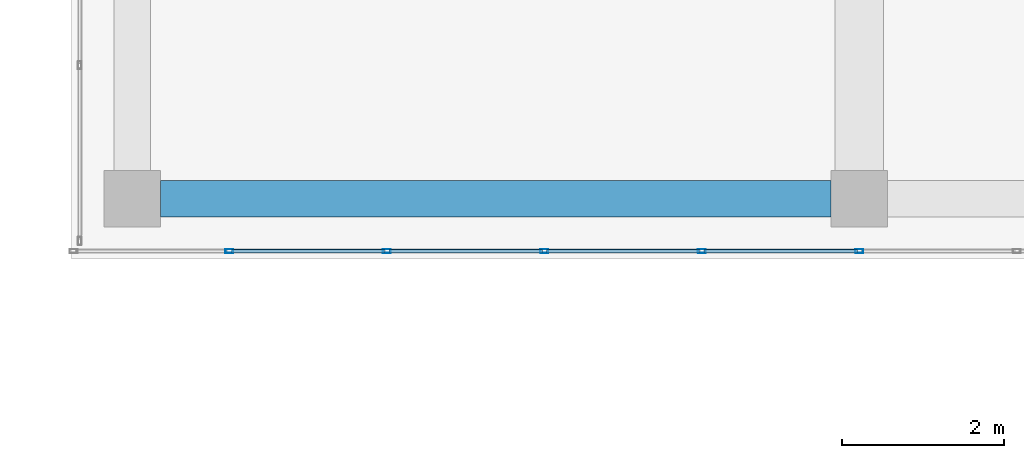
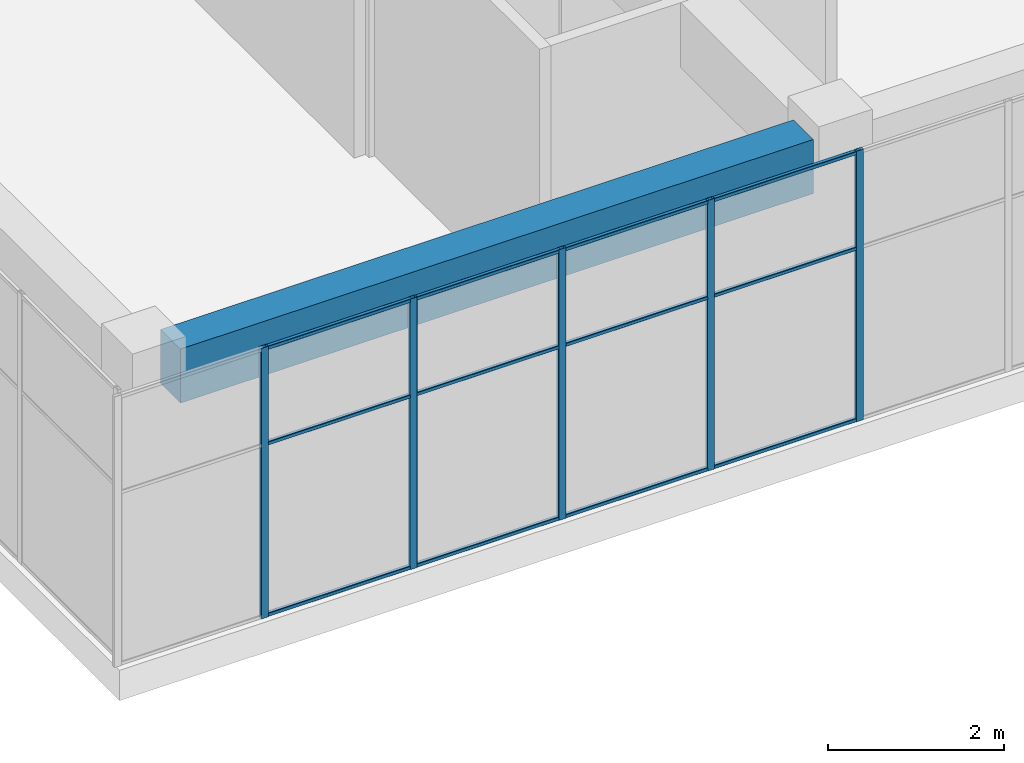
# One storey, part 14 of 49: 17 members, 1 beam, 1 element without a shape of its own.
"""IFC4 building model written with IfcOpenShell, lengths in metres."""

import ifcopenshell
import ifcopenshell.guid

model = None  # the IFC model being written
_history = None  # IfcOwnerHistory: only IFC2X3 demands one
_inside = {}  # id of a spatial element -> (the spatial element, [elements in it])
_under = {}  # id of a project, library or spatial element -> (it, [spatial elements below it])
_declared = {}  # id of a project -> (the project, [libraries it declares])
_typed = {}  # id of a type object -> (the type object, [elements of that type])
_made_of = {}  # id of a material, layer set ... -> (it, [elements and type objects made of it])


def new_model(schema):
    """Start an empty IFC model of exactly this schema.

    Asked for "IFC4X3", IfcOpenShell would pick the latest addendum, in which some entities
    have other attributes; the version numbers below select the first issue.
    IFC2X3 requires an IfcOwnerHistory on every rooted entity: one is made here for all.
    """
    global model, _history
    if schema == "IFC4X3":
        model = ifcopenshell.file(schema_version=(4, 3, 0, 0))
    else:
        model = ifcopenshell.file(schema=schema)
    _inside.clear()
    _under.clear()
    _declared.clear()
    _typed.clear()
    _made_of.clear()
    _history = None
    if model.schema == "IFC2X3":
        org = make("IfcOrganization", Name="unknown")
        user = make(
            "IfcPersonAndOrganization",
            ThePerson=make("IfcPerson", FamilyName="unknown"),
            TheOrganization=org,
        )
        app = make(
            "IfcApplication",
            ApplicationDeveloper=org,
            Version="unknown",
            ApplicationFullName="unknown",
            ApplicationIdentifier="unknown",
        )
        _history = make(
            "IfcOwnerHistory",
            OwningUser=user,
            OwningApplication=app,
            ChangeAction="ADDED",
            CreationDate=0,
        )
    return model


def make(cls, **values):
    """One entity of the class cls with the attributes given. An attribute that is None is left unset."""
    return model.create_entity(
        cls, **{name: value for name, value in values.items() if value is not None}
    )


def rooted(cls, **values):
    """An entity with a GlobalId (a new one), such as an element, a storey or a relation."""
    return make(cls, GlobalId=ifcopenshell.guid.new(), OwnerHistory=_history, **values)


def si_unit(unit_type, name, prefix=None):
    """IfcSIUnit, for example si_unit("LENGTHUNIT", "METRE", prefix="MILLI")."""
    return make("IfcSIUnit", UnitType=unit_type, Prefix=prefix, Name=name)


def assignment(units):
    """IfcUnitAssignment: the units of a project."""
    return None if units is None else make("IfcUnitAssignment", Units=units)


def point(xyz):
    """IfcCartesianPoint."""
    return None if xyz is None else make("IfcCartesianPoint", Coordinates=xyz)


def direction(xyz):
    """IfcDirection."""
    return None if xyz is None else make("IfcDirection", DirectionRatios=xyz)


def frame(location, z_axis=None, x_axis=None):
    """IfcAxis2Placement3D, a coordinate frame: its origin and axes. An axis left out is left unset."""
    return make(
        "IfcAxis2Placement3D",
        Location=point(location),
        Axis=direction(z_axis),
        RefDirection=direction(x_axis),
    )


def frame_2d(location, x_axis=None):
    """IfcAxis2Placement2D, a coordinate frame in the plane: its origin and x axis."""
    return make(
        "IfcAxis2Placement2D", Location=point(location), RefDirection=direction(x_axis)
    )


def origin():
    """The frame at (0, 0, 0) with its axes left unset."""
    return frame((0.0, 0.0, 0.0))


def origin_2d():
    """The frame at (0, 0) in the plane with its x axis left unset."""
    return frame_2d((0.0, 0.0))


def place(relative_to, where):
    """IfcLocalPlacement: puts the frame where relative to a parent placement (None: the world)."""
    return make(
        "IfcLocalPlacement", PlacementRelTo=relative_to, RelativePlacement=where
    )


def context(
    kind, dimensions, precision=None, world=None, true_north=None, identifier=None
):
    """IfcGeometricRepresentationContext, for example the 3D "Model" context."""
    return make(
        "IfcGeometricRepresentationContext",
        ContextIdentifier=identifier,
        ContextType=kind,
        CoordinateSpaceDimension=dimensions,
        Precision=precision,
        WorldCoordinateSystem=world,
        TrueNorth=true_north,
    )


def subcontext(parent, identifier, kind, view, scale=None):
    """IfcGeometricRepresentationSubContext, for example "Body" below "Model"."""
    return make(
        "IfcGeometricRepresentationSubContext",
        ContextIdentifier=identifier,
        ContextType=kind,
        ParentContext=parent,
        TargetScale=scale,
        TargetView=view,
    )


def project(units=None, contexts=None):
    """IfcProject with its units and contexts."""
    return rooted(
        "IfcProject",
        Name="project",
        RepresentationContexts=contexts,
        UnitsInContext=assignment(units),
    )


def spatial(cls, under=None, at=None, **own):
    """A site, building, storey or space (cls), placed at a placement, below another one or the project."""
    s = rooted(cls, ObjectPlacement=at, **own)
    if under is not None:
        _under.setdefault(under.id(), (under, []))[1].append(s)
    return s


def profile(cls, at=None, kind="AREA", **sizes):
    """A parametric profile (cls). Its sizes go by their IFC names, for example OverallWidth=200.0."""
    return make(cls, ProfileType=kind, Position=at, **sizes)


def rectangle(**sizes):
    """IfcRectangleProfileDef."""
    return profile("IfcRectangleProfileDef", **sizes)


def hollow_rectangle(**sizes):
    """IfcRectangleHollowProfileDef."""
    return profile("IfcRectangleHollowProfileDef", **sizes)


def extrude(swept, where, along, depth):
    """IfcExtrudedAreaSolid: the profile swept, set in the frame where, extruded along a direction by depth."""
    return make(
        "IfcExtrudedAreaSolid",
        SweptArea=swept,
        Position=where,
        ExtrudedDirection=direction(along),
        Depth=depth,
    )


def shape(context_of_items, identifier, shape_type, items):
    """IfcShapeRepresentation: the items that make up one representation, for example the "Body"."""
    return make(
        "IfcShapeRepresentation",
        ContextOfItems=context_of_items,
        RepresentationIdentifier=identifier,
        RepresentationType=shape_type,
        Items=items,
    )


def material(Name=None, Category=None):
    """IfcMaterial."""
    return make("IfcMaterial", Name=Name, Category=Category)


def layer(
    of_material, thickness, ventilated=None, Name=None, Category=None, Priority=None
):
    """IfcMaterialLayer: one layer of a wall or slab, of a material (None: an air gap)."""
    return make(
        "IfcMaterialLayer",
        Material=of_material,
        LayerThickness=thickness,
        IsVentilated=ventilated,
        Name=Name,
        Category=Category,
        Priority=Priority,
    )


def layer_set(layers, Name=None):
    """IfcMaterialLayerSet."""
    return make("IfcMaterialLayerSet", MaterialLayers=layers, LayerSetName=Name)


def material_profile(
    of_material, cross_section, Name=None, Category=None, Priority=None
):
    """IfcMaterialProfile: a cross section and its material."""
    return make(
        "IfcMaterialProfile",
        Name=Name,
        Material=of_material,
        Profile=cross_section,
        Priority=Priority,
        Category=Category,
    )


def profile_set(profiles, Name=None, composite=None):
    """IfcMaterialProfileSet."""
    return make(
        "IfcMaterialProfileSet",
        Name=Name,
        MaterialProfiles=profiles,
        CompositeProfile=composite,
    )


def made_of(thing, what):
    """Note that an element or type object is made of a material, layer set ...; save() writes the relation."""
    if what is not None:
        _made_of.setdefault(what.id(), (what, []))[1].append(thing)
    return thing


def type_object(cls, material=None, **own):
    """A type object (cls), such as IfcWallType, which elements share."""
    return made_of(rooted(cls, **own), material)


def element(
    cls,
    number,
    at=None,
    inside=None,
    cuts=None,
    type_object=None,
    material=None,
    context=None,
    identifier="Body",
    shape_type=None,
    held_by="IfcProductDefinitionShape",
    body=None,
    shapes=None,
    **own,
):
    """One element of the class cls, such as IfcWall. Its Tag is "e" and its number.

    at: its placement. inside: the storey or other place that contains it. cuts: it is an
    opening in that element (IfcRelVoidsElement). A single representation is given by context,
    identifier, shape_type and body (its items); several are given by shapes. held_by: the class
    of the entity that holds the representations. save() writes the other relations.
    """
    e = rooted(cls, Tag="e%d" % number, ObjectPlacement=at, **own)
    if body is not None:
        shapes = [shape(context, identifier, shape_type, body)]
    if shapes is not None:
        e.Representation = make(held_by, Representations=shapes)
    if inside is not None:
        _inside.setdefault(inside.id(), (inside, []))[1].append(e)
    if cuts is not None:
        rooted(
            "IfcRelVoidsElement", RelatingBuildingElement=cuts, RelatedOpeningElement=e
        )
    if type_object is not None:
        _typed.setdefault(type_object.id(), (type_object, []))[1].append(e)
    return made_of(e, material)


def aggregate(whole, parts):
    """IfcRelAggregates: a whole, such as a stair, and the parts it consists of."""
    return rooted("IfcRelAggregates", RelatingObject=whole, RelatedObjects=parts)


def save(model, path):
    """Write the relations noted so far, then the file.

    IfcRelAggregates (storeys below a building ...), IfcRelContainedInSpatialStructure (elements
    in a storey), IfcRelDefinesByType, IfcRelAssociatesMaterial and IfcRelDeclares: one each for
    every whole, place, type object, material and project.
    """
    for whole, parts in _under.values():
        aggregate(whole, parts)
    for where, things in _inside.values():
        rooted(
            "IfcRelContainedInSpatialStructure",
            RelatedElements=things,
            RelatingStructure=where,
        )
    for kind, things in _typed.values():
        rooted("IfcRelDefinesByType", RelatedObjects=things, RelatingType=kind)
    for what, things in _made_of.values():
        rooted("IfcRelAssociatesMaterial", RelatedObjects=things, RelatingMaterial=what)
    for by, libraries in _declared.values():
        rooted("IfcRelDeclares", RelatingContext=by, RelatedDefinitions=libraries)
    model.write(path)


model = new_model("IFC4")

# Units and contexts
model_context = context("Model", 3, precision=1e-05, world=origin(), true_north=direction((0.0, 1.0)))
body_context = subcontext(model_context, "Body", "Model", "MODEL_VIEW")
ifc_project = project(units=[si_unit("LENGTHUNIT", "METRE"), si_unit("AREAUNIT", "SQUARE_METRE"), si_unit("VOLUMEUNIT", "CUBIC_METRE"), si_unit("PLANEANGLEUNIT", "RADIAN"), si_unit("MASSUNIT", "GRAM", prefix="KILO")], contexts=[model_context])

# Site, building, storey
site_placement = place(None, origin())
site = spatial("IfcSite", under=ifc_project, at=site_placement, CompositionType="ELEMENT")
building_placement = place(site_placement, origin())
building = spatial("IfcBuilding", under=site, at=building_placement, Name="Tuart Plaza Theatre", CompositionType="ELEMENT")
storey_placement = place(building_placement, frame((0.0, 0.0, 29.5)))
storey = spatial("IfcBuildingStorey", under=building, at=storey_placement, Name="L07", CompositionType="ELEMENT", Elevation=29.5)

# Beam
ifc_material_1 = material(Name="Concrete N40 (40 MPa)", Category="concrete")
ifc_material_profile_1 = material_profile(ifc_material_1, rectangle(XDim=0.449951171875, YDim=0.75, at=origin_2d()), Name="BEAM 450x750 Concrete N40 (40 MPa)")
ifc_profile_set_1 = profile_set([ifc_material_profile_1], Name="Concrete N40 (40 MPa)")
beam_type = type_object("IfcBeamType", Name="BEAM 450x750 Concrete N40 (40 MPa)", PredefinedType="BEAM", material=ifc_profile_set_1)
beam_placement = place(storey_placement, frame((114.35009765625, 56.0, 3.375), z_axis=(1.0, 0.0, 0.0), x_axis=(0.0, 1.0, 0.0)))
element("IfcBeam", 1, at=beam_placement, inside=storey, type_object=beam_type, Name="RB256", PredefinedType="BEAM", context=body_context, shape_type="SweptSolid", body=[
    extrude(rectangle(XDim=0.449951171875, YDim=0.75, at=origin_2d()), origin(), (0.0, 0.0, 1.0), 8.2998046875),
])

# Curtain wall, members
ifc_material_2 = material(Name="Aluminium and glass", Category="aluminium")
ifc_layer = layer(ifc_material_2, 0.10009765625)
ifc_layer_set = layer_set([ifc_layer], Name="CURTAIN WALL 2000 module")
curtain_wall_type = type_object("IfcCurtainWallType", Name="CURTAIN WALL 2000 module", PredefinedType="NOTDEFINED", material=ifc_layer_set)
curtain_wall_placement = place(storey_placement, origin())
curtain_wall = element("IfcCurtainWall", 2, at=curtain_wall_placement, inside=storey, type_object=curtain_wall_type, Name="CW88", PredefinedType="NOTDEFINED")
ifc_material_3 = material(Name="Aluminium 6063-T5", Category="aluminium")
ifc_material_profile_2 = material_profile(ifc_material_3, hollow_rectangle(XDim=0.050048828125, YDim=0.10009765625, WallThickness=0.00390625, InnerFilletRadius=0.00390625, OuterFilletRadius=0.008056640625, at=origin_2d()), Name="RHS 100x50x4")
ifc_profile_set_2 = profile_set([ifc_material_profile_2], Name="Aluminium 6063-T5")
member_type_1 = type_object("IfcMemberType", Name="MULLION RHS 100x50x4", PredefinedType="MULLION", material=ifc_profile_set_2)
member_1_placement = place(storey_placement, frame((115.199951171875, 55.35009765625, 0.0), z_axis=(0.0, 0.0, 1.0), x_axis=(0.0, 1.0, 0.0)))
member_1 = element("IfcMember", 3, at=member_1_placement, type_object=member_type_1, Name="CW88 mullion 2", PredefinedType="MULLION", context=body_context, shape_type="SweptSolid", body=[
    extrude(hollow_rectangle(XDim=0.050048828125, YDim=0.10009765625, WallThickness=0.00390625, InnerFilletRadius=0.00390625, OuterFilletRadius=0.008056640625, at=origin_2d()), origin(), (0.0, 0.0, 1.0), 3.75),
])
member_2_placement = place(storey_placement, frame((117.14990234375, 55.35009765625, 0.0), z_axis=(0.0, 0.0, 1.0), x_axis=(0.0, 1.0, 0.0)))
member_2 = element("IfcMember", 4, at=member_2_placement, type_object=member_type_1, Name="CW88 mullion 3", PredefinedType="MULLION", context=body_context, shape_type="SweptSolid", body=[
    extrude(hollow_rectangle(XDim=0.050048828125, YDim=0.10009765625, WallThickness=0.00390625, InnerFilletRadius=0.00390625, OuterFilletRadius=0.008056640625, at=origin_2d()), origin(), (0.0, 0.0, 1.0), 3.75),
])
member_3_placement = place(storey_placement, frame((119.10009765625, 55.35009765625, 0.0), z_axis=(0.0, 0.0, 1.0), x_axis=(0.0, 1.0, 0.0)))
member_3 = element("IfcMember", 5, at=member_3_placement, type_object=member_type_1, Name="CW88 mullion 4", PredefinedType="MULLION", context=body_context, shape_type="SweptSolid", body=[
    extrude(hollow_rectangle(XDim=0.050048828125, YDim=0.10009765625, WallThickness=0.00390625, InnerFilletRadius=0.00390625, OuterFilletRadius=0.008056640625, at=origin_2d()), origin(), (0.0, 0.0, 1.0), 3.75),
])
member_4_placement = place(storey_placement, frame((121.050048828125, 55.35009765625, 0.0), z_axis=(0.0, 0.0, 1.0), x_axis=(0.0, 1.0, 0.0)))
member_4 = element("IfcMember", 6, at=member_4_placement, type_object=member_type_1, Name="CW88 mullion 5", PredefinedType="MULLION", context=body_context, shape_type="SweptSolid", body=[
    extrude(hollow_rectangle(XDim=0.050048828125, YDim=0.10009765625, WallThickness=0.00390625, InnerFilletRadius=0.00390625, OuterFilletRadius=0.008056640625, at=origin_2d()), origin(), (0.0, 0.0, 1.0), 3.75),
])
member_5_placement = place(storey_placement, frame((123.0, 55.35009765625, 0.0), z_axis=(0.0, 0.0, 1.0), x_axis=(0.0, 1.0, 0.0)))
member_5 = element("IfcMember", 7, at=member_5_placement, type_object=member_type_1, Name="CW88 mullion 6", PredefinedType="MULLION", context=body_context, shape_type="SweptSolid", body=[
    extrude(hollow_rectangle(XDim=0.050048828125, YDim=0.10009765625, WallThickness=0.00390625, InnerFilletRadius=0.00390625, OuterFilletRadius=0.008056640625, at=origin_2d()), origin(), (0.0, 0.0, 1.0), 3.75),
])
ifc_material_4 = material(Name="Aluminium 6063-T5", Category="aluminium")
ifc_material_profile_3 = material_profile(ifc_material_4, hollow_rectangle(XDim=0.050048828125, YDim=0.050048828125, WallThickness=0.00390625, InnerFilletRadius=0.00390625, OuterFilletRadius=0.008056640625, at=origin_2d()), Name="RHS 50x50x4")
ifc_profile_set_3 = profile_set([ifc_material_profile_3], Name="Aluminium 6063-T5")
member_type_2 = type_object("IfcMemberType", Name="TRANSOM RHS 50x50x4", PredefinedType="USERDEFINED", material=ifc_profile_set_3)
member_6_placement = place(storey_placement, frame((115.22509765625, 55.35009765625, 0.02490234375), z_axis=(1.0, 0.0, 0.0), x_axis=(0.0, 1.0, 0.0)))
member_6 = element("IfcMember", 8, at=member_6_placement, type_object=member_type_2, Name="CW88 transom 2.1", ObjectType="TRANSOM", PredefinedType="USERDEFINED", context=body_context, shape_type="SweptSolid", body=[
    extrude(hollow_rectangle(XDim=0.050048828125, YDim=0.050048828125, WallThickness=0.00390625, InnerFilletRadius=0.00390625, OuterFilletRadius=0.008056640625, at=origin_2d()), origin(), (0.0, 0.0, 1.0), 1.89990234375),
])
member_7_placement = place(storey_placement, frame((115.22509765625, 55.35009765625, 2.39990234375), z_axis=(1.0, 0.0, 0.0), x_axis=(0.0, 1.0, 0.0)))
member_7 = element("IfcMember", 9, at=member_7_placement, type_object=member_type_2, Name="CW88 transom 2.2", ObjectType="TRANSOM", PredefinedType="USERDEFINED", context=body_context, shape_type="SweptSolid", body=[
    extrude(hollow_rectangle(XDim=0.050048828125, YDim=0.050048828125, WallThickness=0.00390625, InnerFilletRadius=0.00390625, OuterFilletRadius=0.008056640625, at=origin_2d()), origin(), (0.0, 0.0, 1.0), 1.89990234375),
])
member_8_placement = place(storey_placement, frame((115.22509765625, 55.35009765625, 3.72509765625), z_axis=(1.0, 0.0, 0.0), x_axis=(0.0, 1.0, 0.0)))
member_8 = element("IfcMember", 10, at=member_8_placement, type_object=member_type_2, Name="CW88 transom 2.3", ObjectType="TRANSOM", PredefinedType="USERDEFINED", context=body_context, shape_type="SweptSolid", body=[
    extrude(hollow_rectangle(XDim=0.050048828125, YDim=0.050048828125, WallThickness=0.00390625, InnerFilletRadius=0.00390625, OuterFilletRadius=0.008056640625, at=origin_2d()), origin(), (0.0, 0.0, 1.0), 1.89990234375),
])
member_9_placement = place(storey_placement, frame((117.175048828125, 55.35009765625, 0.02490234375), z_axis=(1.0, 0.0, 0.0), x_axis=(0.0, 1.0, 0.0)))
member_9 = element("IfcMember", 11, at=member_9_placement, type_object=member_type_2, Name="CW88 transom 3.1", ObjectType="TRANSOM", PredefinedType="USERDEFINED", context=body_context, shape_type="SweptSolid", body=[
    extrude(hollow_rectangle(XDim=0.050048828125, YDim=0.050048828125, WallThickness=0.00390625, InnerFilletRadius=0.00390625, OuterFilletRadius=0.008056640625, at=origin_2d()), origin(), (0.0, 0.0, 1.0), 1.89990234375),
])
member_10_placement = place(storey_placement, frame((117.175048828125, 55.35009765625, 2.39990234375), z_axis=(1.0, 0.0, 0.0), x_axis=(0.0, 1.0, 0.0)))
member_10 = element("IfcMember", 12, at=member_10_placement, type_object=member_type_2, Name="CW88 transom 3.2", ObjectType="TRANSOM", PredefinedType="USERDEFINED", context=body_context, shape_type="SweptSolid", body=[
    extrude(hollow_rectangle(XDim=0.050048828125, YDim=0.050048828125, WallThickness=0.00390625, InnerFilletRadius=0.00390625, OuterFilletRadius=0.008056640625, at=origin_2d()), origin(), (0.0, 0.0, 1.0), 1.89990234375),
])
member_11_placement = place(storey_placement, frame((117.175048828125, 55.35009765625, 3.72509765625), z_axis=(1.0, 0.0, 0.0), x_axis=(0.0, 1.0, 0.0)))
member_11 = element("IfcMember", 13, at=member_11_placement, type_object=member_type_2, Name="CW88 transom 3.3", ObjectType="TRANSOM", PredefinedType="USERDEFINED", context=body_context, shape_type="SweptSolid", body=[
    extrude(hollow_rectangle(XDim=0.050048828125, YDim=0.050048828125, WallThickness=0.00390625, InnerFilletRadius=0.00390625, OuterFilletRadius=0.008056640625, at=origin_2d()), origin(), (0.0, 0.0, 1.0), 1.89990234375),
])
member_12_placement = place(storey_placement, frame((119.125, 55.35009765625, 0.02490234375), z_axis=(1.0, 0.0, 0.0), x_axis=(0.0, 1.0, 0.0)))
member_12 = element("IfcMember", 14, at=member_12_placement, type_object=member_type_2, Name="CW88 transom 4.1", ObjectType="TRANSOM", PredefinedType="USERDEFINED", context=body_context, shape_type="SweptSolid", body=[
    extrude(hollow_rectangle(XDim=0.050048828125, YDim=0.050048828125, WallThickness=0.00390625, InnerFilletRadius=0.00390625, OuterFilletRadius=0.008056640625, at=origin_2d()), origin(), (0.0, 0.0, 1.0), 1.89990234375),
])
member_13_placement = place(storey_placement, frame((119.125, 55.35009765625, 2.39990234375), z_axis=(1.0, 0.0, 0.0), x_axis=(0.0, 1.0, 0.0)))
member_13 = element("IfcMember", 15, at=member_13_placement, type_object=member_type_2, Name="CW88 transom 4.2", ObjectType="TRANSOM", PredefinedType="USERDEFINED", context=body_context, shape_type="SweptSolid", body=[
    extrude(hollow_rectangle(XDim=0.050048828125, YDim=0.050048828125, WallThickness=0.00390625, InnerFilletRadius=0.00390625, OuterFilletRadius=0.008056640625, at=origin_2d()), origin(), (0.0, 0.0, 1.0), 1.89990234375),
])
member_14_placement = place(storey_placement, frame((119.125, 55.35009765625, 3.72509765625), z_axis=(1.0, 0.0, 0.0), x_axis=(0.0, 1.0, 0.0)))
member_14 = element("IfcMember", 16, at=member_14_placement, type_object=member_type_2, Name="CW88 transom 4.3", ObjectType="TRANSOM", PredefinedType="USERDEFINED", context=body_context, shape_type="SweptSolid", body=[
    extrude(hollow_rectangle(XDim=0.050048828125, YDim=0.050048828125, WallThickness=0.00390625, InnerFilletRadius=0.00390625, OuterFilletRadius=0.008056640625, at=origin_2d()), origin(), (0.0, 0.0, 1.0), 1.89990234375),
])
member_15_placement = place(storey_placement, frame((121.074951171875, 55.35009765625, 0.02490234375), z_axis=(1.0, 0.0, 0.0), x_axis=(0.0, 1.0, 0.0)))
member_15 = element("IfcMember", 17, at=member_15_placement, type_object=member_type_2, Name="CW88 transom 5.1", ObjectType="TRANSOM", PredefinedType="USERDEFINED", context=body_context, shape_type="SweptSolid", body=[
    extrude(hollow_rectangle(XDim=0.050048828125, YDim=0.050048828125, WallThickness=0.00390625, InnerFilletRadius=0.00390625, OuterFilletRadius=0.008056640625, at=origin_2d()), origin(), (0.0, 0.0, 1.0), 1.900146484375),
])
member_16_placement = place(storey_placement, frame((121.074951171875, 55.35009765625, 2.39990234375), z_axis=(1.0, 0.0, 0.0), x_axis=(0.0, 1.0, 0.0)))
member_16 = element("IfcMember", 18, at=member_16_placement, type_object=member_type_2, Name="CW88 transom 5.2", ObjectType="TRANSOM", PredefinedType="USERDEFINED", context=body_context, shape_type="SweptSolid", body=[
    extrude(hollow_rectangle(XDim=0.050048828125, YDim=0.050048828125, WallThickness=0.00390625, InnerFilletRadius=0.00390625, OuterFilletRadius=0.008056640625, at=origin_2d()), origin(), (0.0, 0.0, 1.0), 1.900146484375),
])
member_17_placement = place(storey_placement, frame((121.074951171875, 55.35009765625, 3.72509765625), z_axis=(1.0, 0.0, 0.0), x_axis=(0.0, 1.0, 0.0)))
member_17 = element("IfcMember", 19, at=member_17_placement, type_object=member_type_2, Name="CW88 transom 5.3", ObjectType="TRANSOM", PredefinedType="USERDEFINED", context=body_context, shape_type="SweptSolid", body=[
    extrude(hollow_rectangle(XDim=0.050048828125, YDim=0.050048828125, WallThickness=0.00390625, InnerFilletRadius=0.00390625, OuterFilletRadius=0.008056640625, at=origin_2d()), origin(), (0.0, 0.0, 1.0), 1.900146484375),
])
aggregate(curtain_wall, [member_1, member_2, member_3, member_4, member_5, member_6, member_7, member_8, member_9, member_10, member_11, member_12, member_13, member_14, member_15, member_16, member_17])

save(model, "model.ifc")
